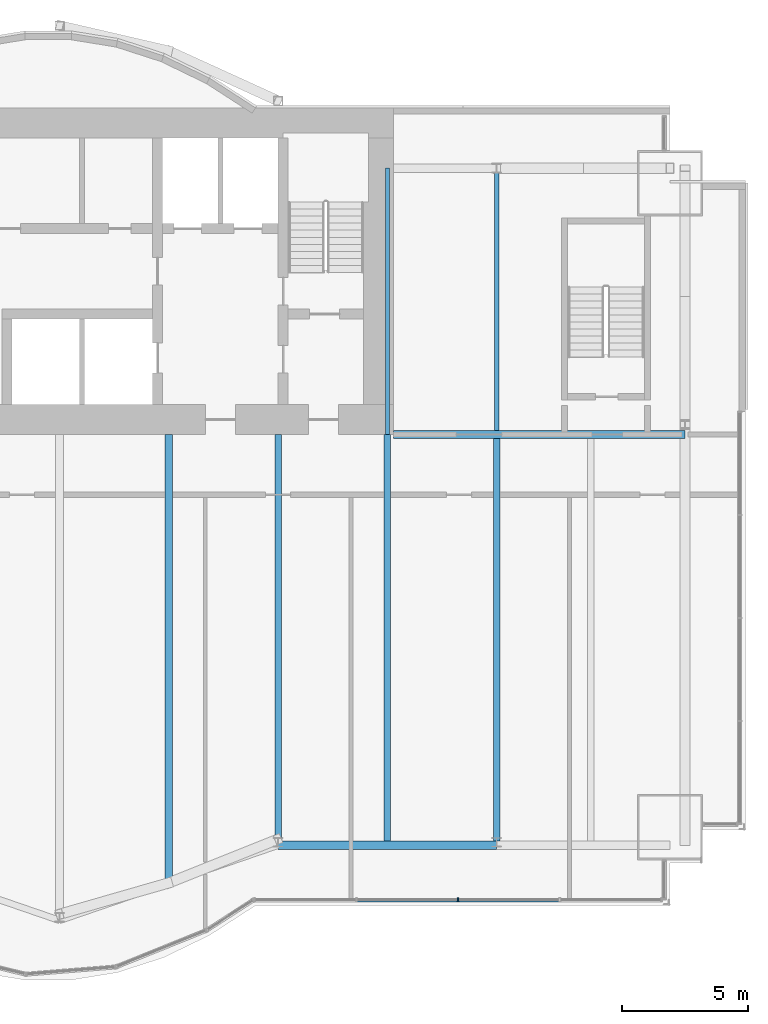
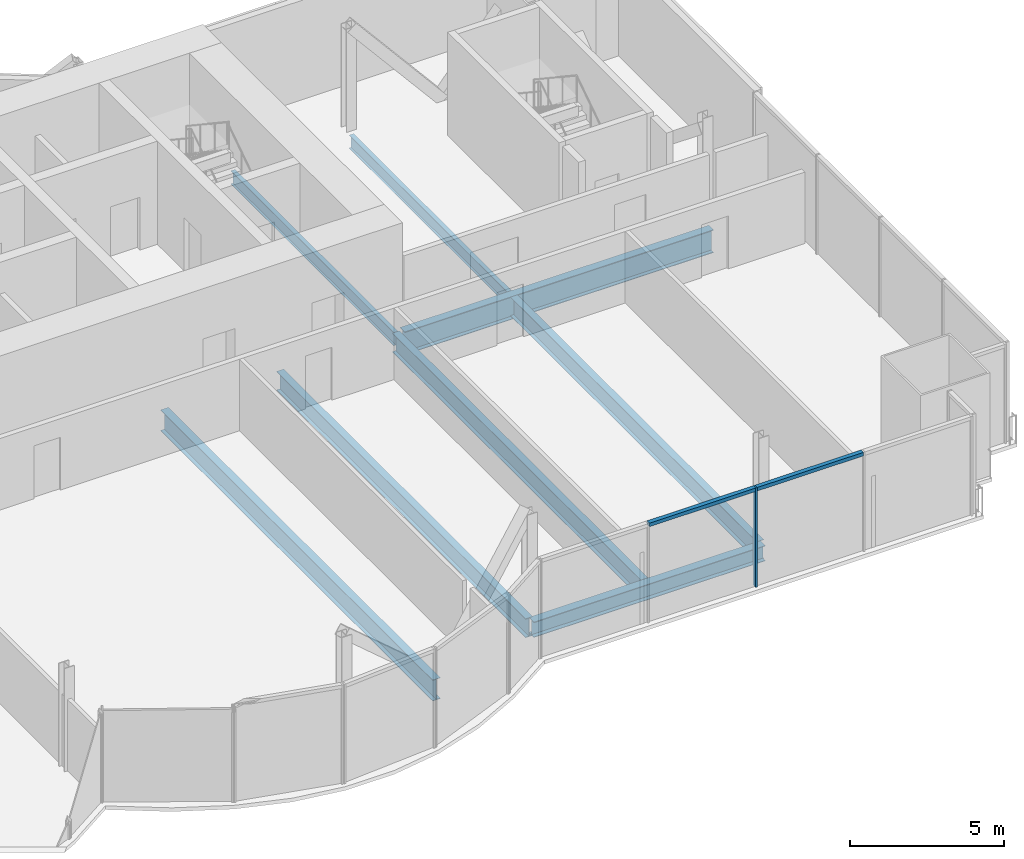
# One storey, part 9 of 20: 8 beams, 3 members, 1 element without a shape of its own.
"""IFC4 building model written with IfcOpenShell, lengths in metres."""

from ifc_helpers import new_model, si_unit, direction, frame, origin, origin_2d, place, context, subcontext, project, spatial, rectangle, i_section, extrude, material, material_profile, profile_set, type_object, element, aggregate, save


model = new_model("IFC4")

# Units and contexts
model_context = context("Model", 3, precision=1e-05, world=origin(), true_north=direction((0.0, 1.0)))
body_context = subcontext(model_context, "Body", "Model", "MODEL_VIEW")
ifc_project = project(units=[si_unit("LENGTHUNIT", "METRE"), si_unit("AREAUNIT", "SQUARE_METRE"), si_unit("VOLUMEUNIT", "CUBIC_METRE"), si_unit("PLANEANGLEUNIT", "RADIAN"), si_unit("MASSUNIT", "GRAM", prefix="KILO")], contexts=[model_context])

# Site, building, storey
site_placement = place(None, origin())
site = spatial("IfcSite", under=ifc_project, at=site_placement, CompositionType="ELEMENT")
building_placement = place(site_placement, origin())
building = spatial("IfcBuilding", under=site, at=building_placement, Name="Bicima Exchange Tower", CompositionType="ELEMENT")
storey_placement = place(building_placement, frame((0.0, 0.0, 215.5)))
storey = spatial("IfcBuildingStorey", under=building, at=storey_placement, Name="L48", CompositionType="ELEMENT", Elevation=215.5)

# Beams
ifc_material_1 = material(Name="Steel ASTM A992 Gr 50", Category="steel")
ifc_material_profile_1 = material_profile(ifc_material_1, i_section(OverallWidth=0.3046875, OverallDepth=0.911865234375, WebThickness=0.015869140625, FlangeThickness=0.02392578125, at=origin_2d()))
ifc_profile_set_1 = profile_set([ifc_material_profile_1], Name="Steel ASTM A992 Gr 50")
beam_type_1 = type_object("IfcBeamType", Name="Core-line girder W36x150", PredefinedType="BEAM", material=ifc_profile_set_1)
beam_1_placement = place(storey_placement, frame((22.0, -13.0, -0.60595703125), z_axis=(1.0, 0.0, 0.0), x_axis=(0.0, 1.0, 0.0)))
element("IfcBeam", 1, at=beam_1_placement, inside=storey, type_object=beam_type_1, Name="Core-line girder", PredefinedType="BEAM", context=body_context, shape_type="SweptSolid", body=[
    extrude(i_section(OverallWidth=0.3046875, OverallDepth=0.911865234375, WebThickness=0.015869140625, FlangeThickness=0.02392578125, at=origin_2d()), origin(), (0.0, 0.0, 1.0), 11.60009765625),
])
ifc_material_profile_2 = material_profile(ifc_material_1, i_section(OverallWidth=0.165771484375, OverallDepth=0.5283203125, WebThickness=0.009765625, FlangeThickness=0.013671875, at=origin_2d()))
ifc_profile_set_2 = profile_set([ifc_material_profile_2], Name="Steel ASTM A992 Gr 50")
beam_type_2 = type_object("IfcBeamType", Name="Floor beam W21x50", PredefinedType="JOIST", material=ifc_profile_set_2)
beam_2_placement = place(storey_placement, frame((21.75, -2.39990234375, -0.414306640625), z_axis=(0.0, -1.0, 0.0), x_axis=(1.0, 0.0, 0.0)))
element("IfcBeam", 2, at=beam_2_placement, inside=storey, type_object=beam_type_2, Name="Floor beam", PredefinedType="JOIST", context=body_context, shape_type="SweptSolid", body=[
    extrude(i_section(OverallWidth=0.165771484375, OverallDepth=0.5283203125, WebThickness=0.009765625, FlangeThickness=0.013671875, at=origin_2d()), origin(), (0.0, 0.0, 1.0), 10.60009765625),
])
beam_3_placement = place(storey_placement, frame((26.10009765625, -2.5625, -0.414306640625), z_axis=(0.0, -1.0, 0.0), x_axis=(1.0, 0.0, 0.0)))
element("IfcBeam", 3, at=beam_3_placement, inside=storey, type_object=beam_type_2, Name="Floor beam", PredefinedType="JOIST", context=body_context, shape_type="SweptSolid", body=[
    extrude(i_section(OverallWidth=0.165771484375, OverallDepth=0.5283203125, WebThickness=0.009765625, FlangeThickness=0.013671875, at=origin_2d()), origin(), (0.0, 0.0, 1.0), 10.28515625),
])
ifc_material_profile_3 = material_profile(ifc_material_1, i_section(OverallWidth=0.2666015625, OverallDepth=0.75439453125, WebThickness=0.01318359375, FlangeThickness=0.01708984375, at=origin_2d()))
ifc_profile_set_3 = profile_set([ifc_material_profile_3], Name="Steel ASTM A992 Gr 50")
beam_type_3 = type_object("IfcBeamType", Name="Floor beam W30x99", PredefinedType="JOIST", material=ifc_profile_set_3)
beam_4_placement = place(storey_placement, frame((17.39990234375, -13.0, -0.527099609375), z_axis=(0.0, -1.0, 0.0), x_axis=(1.0, 0.0, 0.0)))
element("IfcBeam", 4, at=beam_4_placement, inside=storey, type_object=beam_type_3, Name="Floor beam", PredefinedType="JOIST", context=body_context, shape_type="SweptSolid", body=[
    extrude(i_section(OverallWidth=0.2666015625, OverallDepth=0.75439453125, WebThickness=0.01318359375, FlangeThickness=0.01708984375, at=origin_2d()), origin(), (0.0, 0.0, 1.0), 16.21630859375),
])
beam_5_placement = place(storey_placement, frame((21.75, -13.0, -0.527099609375), z_axis=(0.0, -1.0, 0.0), x_axis=(1.0, 0.0, 0.0)))
element("IfcBeam", 5, at=beam_5_placement, inside=storey, type_object=beam_type_3, Name="Floor beam", PredefinedType="JOIST", context=body_context, shape_type="SweptSolid", body=[
    extrude(i_section(OverallWidth=0.2666015625, OverallDepth=0.75439453125, WebThickness=0.01318359375, FlangeThickness=0.01708984375, at=origin_2d()), origin(), (0.0, 0.0, 1.0), 16.189453125),
])
beam_6_placement = place(storey_placement, frame((26.10009765625, -13.15234375, -0.527099609375), z_axis=(0.0, -1.0, 0.0), x_axis=(1.0, 0.0, 0.0)))
element("IfcBeam", 6, at=beam_6_placement, inside=storey, type_object=beam_type_3, Name="Floor beam", PredefinedType="JOIST", context=body_context, shape_type="SweptSolid", body=[
    extrude(i_section(OverallWidth=0.2666015625, OverallDepth=0.75439453125, WebThickness=0.01318359375, FlangeThickness=0.01708984375, at=origin_2d()), origin(), (0.0, 0.0, 1.0), 16.037109375),
])
ifc_material_profile_4 = material_profile(ifc_material_1, i_section(OverallWidth=0.2919921875, OverallDepth=0.835693359375, WebThickness=0.013916015625, FlangeThickness=0.018798828125, at=origin_2d()))
ifc_profile_set_4 = profile_set([ifc_material_profile_4], Name="Steel ASTM A992 Gr 50")
beam_type_4 = type_object("IfcBeamType", Name="Floor beam W33x118", PredefinedType="JOIST", material=ifc_profile_set_4)
beam_7_placement = place(storey_placement, frame((13.050048828125, -13.0, -0.56787109375), z_axis=(0.0, -1.0, 0.0), x_axis=(1.0, 0.0, 0.0)))
element("IfcBeam", 7, at=beam_7_placement, inside=storey, type_object=beam_type_4, Name="Floor beam", PredefinedType="JOIST", context=body_context, shape_type="SweptSolid", body=[
    extrude(i_section(OverallWidth=0.2919921875, OverallDepth=0.835693359375, WebThickness=0.013916015625, FlangeThickness=0.018798828125, at=origin_2d()), origin(), (0.0, 0.0, 1.0), 17.7119140625),
])
ifc_material_profile_5 = material_profile(ifc_material_1, i_section(OverallWidth=0.3251953125, OverallDepth=0.612060546875, WebThickness=0.0126953125, FlangeThickness=0.01904296875, at=origin_2d()))
ifc_profile_set_5 = profile_set([ifc_material_profile_5], Name="Steel ASTM A992 Gr 50")
beam_type_5 = type_object("IfcBeamType", Name="Front girder W24x104", PredefinedType="BEAM", material=ifc_profile_set_5)
beam_8_placement = place(storey_placement, frame((17.39990234375, -29.35205078125, -0.4560546875), z_axis=(1.0, 0.0, 0.0), x_axis=(0.0, 1.0, 0.0)))
element("IfcBeam", 8, at=beam_8_placement, inside=storey, type_object=beam_type_5, Name="Front girder", PredefinedType="BEAM", context=body_context, shape_type="SweptSolid", body=[
    extrude(i_section(OverallWidth=0.3251953125, OverallDepth=0.612060546875, WebThickness=0.0126953125, FlangeThickness=0.01904296875, at=origin_2d()), origin(), (0.0, 0.0, 1.0), 8.7001953125),
])

# Curtain wall, members
ifc_material_2 = material(Name="Anodised bronze aluminium", Category="aluminium")
curtain_wall_type = type_object("IfcCurtainWallType", Name="Front glass wall", PredefinedType="NOTDEFINED", material=ifc_material_2)
curtain_wall_placement = place(storey_placement, origin())
curtain_wall = element("IfcCurtainWall", 9, at=curtain_wall_placement, inside=storey, type_object=curtain_wall_type, Name="Front glass wall L48 run 16", PredefinedType="NOTDEFINED")
ifc_material_profile_6 = material_profile(ifc_material_2, rectangle(XDim=0.159912109375, YDim=0.06005859375, at=origin_2d()))
ifc_profile_set_6 = profile_set([ifc_material_profile_6], Name="Anodised bronze aluminium")
member_type_1 = type_object("IfcMemberType", Name="Front glass wall mullion 60 x 160", PredefinedType="MULLION", material=ifc_profile_set_6)
member_1_placement = place(storey_placement, frame((24.56103515625, -31.52197265625, 0.0), z_axis=(0.0, 0.0, 1.0), x_axis=(0.0, 1.0, 0.0)))
member_1 = element("IfcMember", 10, at=member_1_placement, type_object=member_type_1, Name="Front glass wall mullion 3", PredefinedType="MULLION", context=body_context, shape_type="SweptSolid", body=[
    extrude(rectangle(XDim=0.159912109375, YDim=0.06005859375, at=origin_2d()), origin(), (0.0, 0.0, 1.0), 3.949951171875),
])
ifc_material_profile_7 = material_profile(ifc_material_2, rectangle(XDim=0.159912109375, YDim=0.139892578125, at=origin_2d()))
ifc_profile_set_7 = profile_set([ifc_material_profile_7], Name="Anodised bronze aluminium")
member_type_2 = type_object("IfcMemberType", Name="Front glass wall transom 140 x 160", PredefinedType="USERDEFINED", material=ifc_profile_set_7)
member_2_placement = place(storey_placement, frame((20.54150390625, -31.52197265625, 3.8798828125), z_axis=(1.0, 0.0, 0.0), x_axis=(0.0, 1.0, 0.0)))
member_2 = element("IfcMember", 11, at=member_2_placement, type_object=member_type_2, Name="Front glass wall transom 2.1", ObjectType="TRANSOM", PredefinedType="USERDEFINED", context=body_context, shape_type="SweptSolid", body=[
    extrude(rectangle(XDim=0.159912109375, YDim=0.139892578125, at=origin_2d()), origin(), (0.0, 0.0, 1.0), 3.989501953125),
])
member_3_placement = place(storey_placement, frame((24.591064453125, -31.52197265625, 3.8798828125), z_axis=(1.0, 0.0, 0.0), x_axis=(0.0, 1.0, 0.0)))
member_3 = element("IfcMember", 12, at=member_3_placement, type_object=member_type_2, Name="Front glass wall transom 3.1", ObjectType="TRANSOM", PredefinedType="USERDEFINED", context=body_context, shape_type="SweptSolid", body=[
    extrude(rectangle(XDim=0.159912109375, YDim=0.139892578125, at=origin_2d()), origin(), (0.0, 0.0, 1.0), 3.989501953125),
])
aggregate(curtain_wall, [member_1, member_2, member_3])

save(model, "model.ifc")
